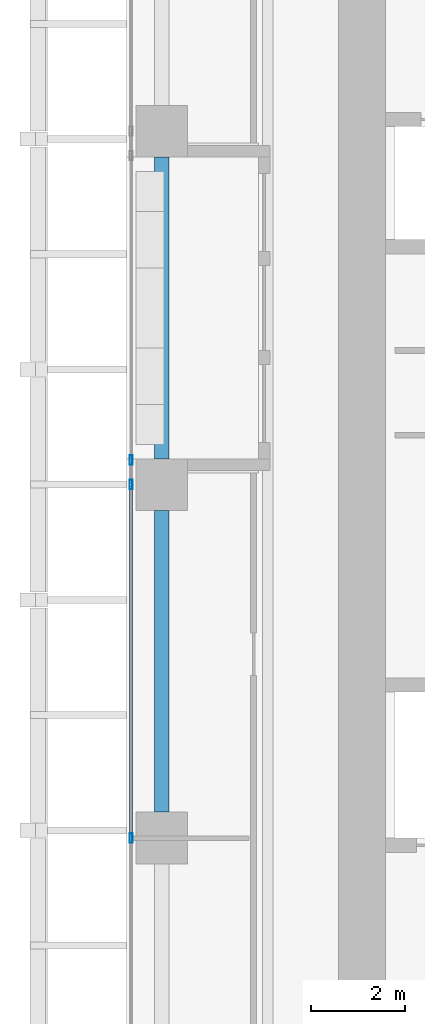
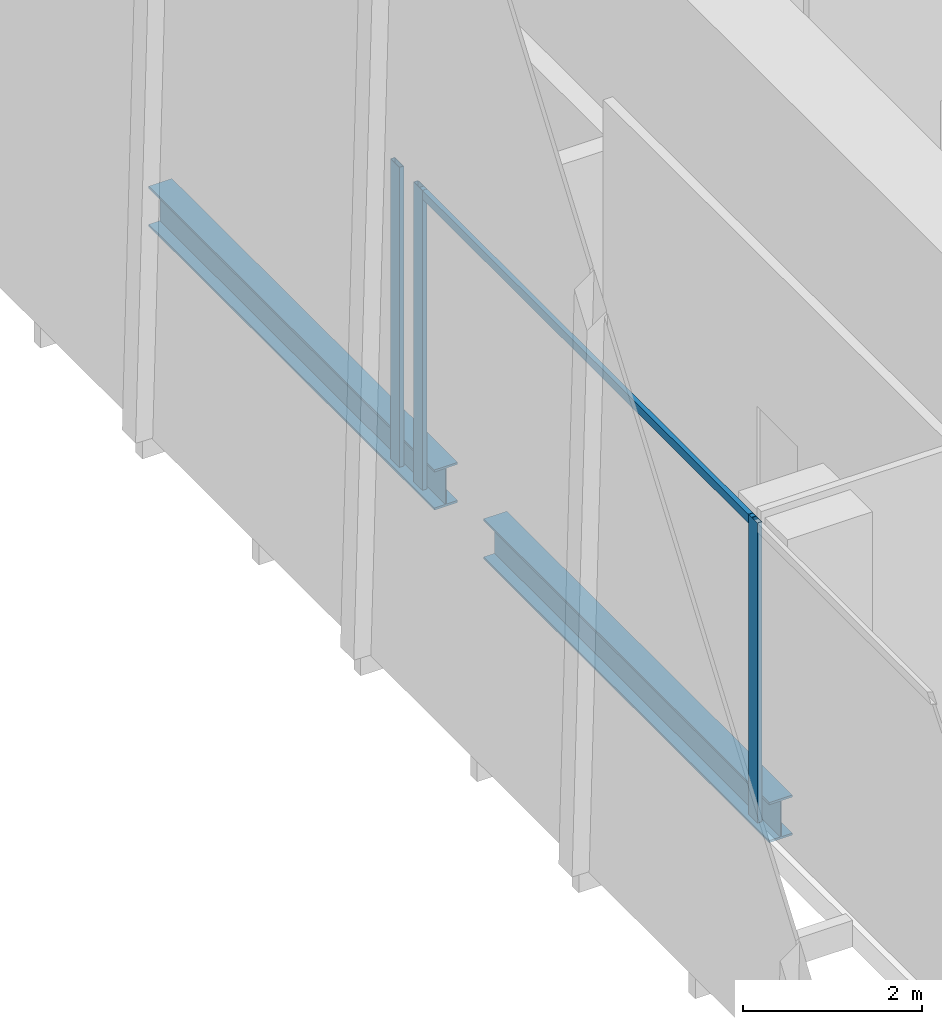
# One storey, part 5 of 35: 4 members, 2 beams, 1 element without a shape of its own.
"""IFC4 building model written with IfcOpenShell, lengths in metres."""

import ifcopenshell
import ifcopenshell.guid

model = None  # the IFC model being written
_history = None  # IfcOwnerHistory: only IFC2X3 demands one
_inside = {}  # id of a spatial element -> (the spatial element, [elements in it])
_under = {}  # id of a project, library or spatial element -> (it, [spatial elements below it])
_declared = {}  # id of a project -> (the project, [libraries it declares])
_typed = {}  # id of a type object -> (the type object, [elements of that type])
_made_of = {}  # id of a material, layer set ... -> (it, [elements and type objects made of it])


def new_model(schema):
    """Start an empty IFC model of exactly this schema.

    Asked for "IFC4X3", IfcOpenShell would pick the latest addendum, in which some entities
    have other attributes; the version numbers below select the first issue.
    IFC2X3 requires an IfcOwnerHistory on every rooted entity: one is made here for all.
    """
    global model, _history
    if schema == "IFC4X3":
        model = ifcopenshell.file(schema_version=(4, 3, 0, 0))
    else:
        model = ifcopenshell.file(schema=schema)
    _inside.clear()
    _under.clear()
    _declared.clear()
    _typed.clear()
    _made_of.clear()
    _history = None
    if model.schema == "IFC2X3":
        org = make("IfcOrganization", Name="unknown")
        user = make(
            "IfcPersonAndOrganization",
            ThePerson=make("IfcPerson", FamilyName="unknown"),
            TheOrganization=org,
        )
        app = make(
            "IfcApplication",
            ApplicationDeveloper=org,
            Version="unknown",
            ApplicationFullName="unknown",
            ApplicationIdentifier="unknown",
        )
        _history = make(
            "IfcOwnerHistory",
            OwningUser=user,
            OwningApplication=app,
            ChangeAction="ADDED",
            CreationDate=0,
        )
    return model


def make(cls, **values):
    """One entity of the class cls with the attributes given. An attribute that is None is left unset."""
    return model.create_entity(
        cls, **{name: value for name, value in values.items() if value is not None}
    )


def rooted(cls, **values):
    """An entity with a GlobalId (a new one), such as an element, a storey or a relation."""
    return make(cls, GlobalId=ifcopenshell.guid.new(), OwnerHistory=_history, **values)


def si_unit(unit_type, name, prefix=None):
    """IfcSIUnit, for example si_unit("LENGTHUNIT", "METRE", prefix="MILLI")."""
    return make("IfcSIUnit", UnitType=unit_type, Prefix=prefix, Name=name)


def assignment(units):
    """IfcUnitAssignment: the units of a project."""
    return None if units is None else make("IfcUnitAssignment", Units=units)


def point(xyz):
    """IfcCartesianPoint."""
    return None if xyz is None else make("IfcCartesianPoint", Coordinates=xyz)


def direction(xyz):
    """IfcDirection."""
    return None if xyz is None else make("IfcDirection", DirectionRatios=xyz)


def frame(location, z_axis=None, x_axis=None):
    """IfcAxis2Placement3D, a coordinate frame: its origin and axes. An axis left out is left unset."""
    return make(
        "IfcAxis2Placement3D",
        Location=point(location),
        Axis=direction(z_axis),
        RefDirection=direction(x_axis),
    )


def frame_2d(location, x_axis=None):
    """IfcAxis2Placement2D, a coordinate frame in the plane: its origin and x axis."""
    return make(
        "IfcAxis2Placement2D", Location=point(location), RefDirection=direction(x_axis)
    )


def origin():
    """The frame at (0, 0, 0) with its axes left unset."""
    return frame((0.0, 0.0, 0.0))


def origin_2d():
    """The frame at (0, 0) in the plane with its x axis left unset."""
    return frame_2d((0.0, 0.0))


def place(relative_to, where):
    """IfcLocalPlacement: puts the frame where relative to a parent placement (None: the world)."""
    return make(
        "IfcLocalPlacement", PlacementRelTo=relative_to, RelativePlacement=where
    )


def context(
    kind, dimensions, precision=None, world=None, true_north=None, identifier=None
):
    """IfcGeometricRepresentationContext, for example the 3D "Model" context."""
    return make(
        "IfcGeometricRepresentationContext",
        ContextIdentifier=identifier,
        ContextType=kind,
        CoordinateSpaceDimension=dimensions,
        Precision=precision,
        WorldCoordinateSystem=world,
        TrueNorth=true_north,
    )


def subcontext(parent, identifier, kind, view, scale=None):
    """IfcGeometricRepresentationSubContext, for example "Body" below "Model"."""
    return make(
        "IfcGeometricRepresentationSubContext",
        ContextIdentifier=identifier,
        ContextType=kind,
        ParentContext=parent,
        TargetScale=scale,
        TargetView=view,
    )


def project(units=None, contexts=None):
    """IfcProject with its units and contexts."""
    return rooted(
        "IfcProject",
        Name="project",
        RepresentationContexts=contexts,
        UnitsInContext=assignment(units),
    )


def spatial(cls, under=None, at=None, **own):
    """A site, building, storey or space (cls), placed at a placement, below another one or the project."""
    s = rooted(cls, ObjectPlacement=at, **own)
    if under is not None:
        _under.setdefault(under.id(), (under, []))[1].append(s)
    return s


def profile(cls, at=None, kind="AREA", **sizes):
    """A parametric profile (cls). Its sizes go by their IFC names, for example OverallWidth=200.0."""
    return make(cls, ProfileType=kind, Position=at, **sizes)


def hollow_rectangle(**sizes):
    """IfcRectangleHollowProfileDef."""
    return profile("IfcRectangleHollowProfileDef", **sizes)


def i_section(**sizes):
    """IfcIShapeProfileDef."""
    return profile("IfcIShapeProfileDef", **sizes)


def extrude(swept, where, along, depth):
    """IfcExtrudedAreaSolid: the profile swept, set in the frame where, extruded along a direction by depth."""
    return make(
        "IfcExtrudedAreaSolid",
        SweptArea=swept,
        Position=where,
        ExtrudedDirection=direction(along),
        Depth=depth,
    )


def shape(context_of_items, identifier, shape_type, items):
    """IfcShapeRepresentation: the items that make up one representation, for example the "Body"."""
    return make(
        "IfcShapeRepresentation",
        ContextOfItems=context_of_items,
        RepresentationIdentifier=identifier,
        RepresentationType=shape_type,
        Items=items,
    )


def source(mapping_origin, context_of_items, identifier, shape_type, items):
    """IfcRepresentationMap: a shape defined once, which mapped items show again and again."""
    return make(
        "IfcRepresentationMap",
        MappingOrigin=mapping_origin,
        MappedRepresentation=shape(context_of_items, identifier, shape_type, items),
    )


def transform(
    local_origin,
    x_axis=None,
    y_axis=None,
    z_axis=None,
    scale=None,
    scale2=None,
    scale3=None,
    uniform=True,
):
    """IfcCartesianTransformationOperator3D, or its non-uniform kind. x_axis, y_axis, z_axis: its Axis1, 2, 3."""
    if uniform:
        return make(
            "IfcCartesianTransformationOperator3D",
            Axis1=direction(x_axis),
            Axis2=direction(y_axis),
            LocalOrigin=point(local_origin),
            Scale=scale,
            Axis3=direction(z_axis),
        )
    return make(
        "IfcCartesianTransformationOperator3DnonUniform",
        Axis1=direction(x_axis),
        Axis2=direction(y_axis),
        LocalOrigin=point(local_origin),
        Scale=scale,
        Axis3=direction(z_axis),
        Scale2=scale2,
        Scale3=scale3,
    )


def mapped(mapping_source, mapping_target):
    """IfcMappedItem: shows the shape of a source again, moved by a transform."""
    return make(
        "IfcMappedItem", MappingSource=mapping_source, MappingTarget=mapping_target
    )


def material(Name=None, Category=None):
    """IfcMaterial."""
    return make("IfcMaterial", Name=Name, Category=Category)


def material_profile(
    of_material, cross_section, Name=None, Category=None, Priority=None
):
    """IfcMaterialProfile: a cross section and its material."""
    return make(
        "IfcMaterialProfile",
        Name=Name,
        Material=of_material,
        Profile=cross_section,
        Priority=Priority,
        Category=Category,
    )


def profile_set(profiles, Name=None, composite=None):
    """IfcMaterialProfileSet."""
    return make(
        "IfcMaterialProfileSet",
        Name=Name,
        MaterialProfiles=profiles,
        CompositeProfile=composite,
    )


def made_of(thing, what):
    """Note that an element or type object is made of a material, layer set ...; save() writes the relation."""
    if what is not None:
        _made_of.setdefault(what.id(), (what, []))[1].append(thing)
    return thing


def type_object(cls, material=None, **own):
    """A type object (cls), such as IfcWallType, which elements share."""
    return made_of(rooted(cls, **own), material)


def element(
    cls,
    number,
    at=None,
    inside=None,
    cuts=None,
    type_object=None,
    material=None,
    context=None,
    identifier="Body",
    shape_type=None,
    held_by="IfcProductDefinitionShape",
    body=None,
    shapes=None,
    **own,
):
    """One element of the class cls, such as IfcWall. Its Tag is "e" and its number.

    at: its placement. inside: the storey or other place that contains it. cuts: it is an
    opening in that element (IfcRelVoidsElement). A single representation is given by context,
    identifier, shape_type and body (its items); several are given by shapes. held_by: the class
    of the entity that holds the representations. save() writes the other relations.
    """
    e = rooted(cls, Tag="e%d" % number, ObjectPlacement=at, **own)
    if body is not None:
        shapes = [shape(context, identifier, shape_type, body)]
    if shapes is not None:
        e.Representation = make(held_by, Representations=shapes)
    if inside is not None:
        _inside.setdefault(inside.id(), (inside, []))[1].append(e)
    if cuts is not None:
        rooted(
            "IfcRelVoidsElement", RelatingBuildingElement=cuts, RelatedOpeningElement=e
        )
    if type_object is not None:
        _typed.setdefault(type_object.id(), (type_object, []))[1].append(e)
    return made_of(e, material)


def aggregate(whole, parts):
    """IfcRelAggregates: a whole, such as a stair, and the parts it consists of."""
    return rooted("IfcRelAggregates", RelatingObject=whole, RelatedObjects=parts)


def save(model, path):
    """Write the relations noted so far, then the file.

    IfcRelAggregates (storeys below a building ...), IfcRelContainedInSpatialStructure (elements
    in a storey), IfcRelDefinesByType, IfcRelAssociatesMaterial and IfcRelDeclares: one each for
    every whole, place, type object, material and project.
    """
    for whole, parts in _under.values():
        aggregate(whole, parts)
    for where, things in _inside.values():
        rooted(
            "IfcRelContainedInSpatialStructure",
            RelatedElements=things,
            RelatingStructure=where,
        )
    for kind, things in _typed.values():
        rooted("IfcRelDefinesByType", RelatedObjects=things, RelatingType=kind)
    for what, things in _made_of.values():
        rooted("IfcRelAssociatesMaterial", RelatedObjects=things, RelatingMaterial=what)
    for by, libraries in _declared.values():
        rooted("IfcRelDeclares", RelatingContext=by, RelatedDefinitions=libraries)
    model.write(path)


model = new_model("IFC4")

# Units and contexts
model_context = context("Model", 3, precision=1e-05, world=origin(), true_north=direction((0.0, 1.0)))
body_context = subcontext(model_context, "Body", "Model", "MODEL_VIEW")
ifc_project = project(units=[si_unit("LENGTHUNIT", "METRE"), si_unit("AREAUNIT", "SQUARE_METRE"), si_unit("VOLUMEUNIT", "CUBIC_METRE"), si_unit("PLANEANGLEUNIT", "RADIAN"), si_unit("MASSUNIT", "GRAM", prefix="KILO")], contexts=[model_context])

# Site, building, storey
site_placement = place(None, origin())
site = spatial("IfcSite", under=ifc_project, at=site_placement, CompositionType="ELEMENT")
building_placement = place(site_placement, origin())
building = spatial("IfcBuilding", under=site, at=building_placement, Name="Khomas Fold Tower", CompositionType="ELEMENT")
storey_placement = place(building_placement, frame((0.0, 0.0, 127.89990234375)))
storey = spatial("IfcBuildingStorey", under=building, at=storey_placement, Name="L27", CompositionType="ELEMENT", Elevation=127.89990234375)

# Beams
ifc_material_1 = material(Name="Steel S355", Category="steel")
ifc_material_profile_1 = material_profile(ifc_material_1, i_section(OverallWidth=0.300048828125, OverallDepth=0.550048828125, WebThickness=0.014892578125, FlangeThickness=0.029052734375, at=origin_2d()), Name="HE 550 B")
ifc_profile_set_1 = profile_set([ifc_material_profile_1], Name="Steel S355")
beam_type = type_object("IfcBeamType", Name="HE 550 B spandrel SB2", PredefinedType="SPANDREL", material=ifc_profile_set_1)
shared_shape_1 = source(origin(), body_context, "Body", "SweptSolid", [
    extrude(i_section(OverallWidth=0.300048828125, OverallDepth=0.550048828125, WebThickness=0.014892578125, FlangeThickness=0.029052734375, at=origin_2d()), origin(), (0.0, 0.0, 1.0), 6.39990234375),
])
for number, where, z_axis, x_axis, name in (
    (1, (2.25, 27.550048828125, -0.574951171875), (0.0, 1.0, 0.0), (-1.0, 0.0, 0.0), "SB2"),
    (2, (2.25, 20.050048828125, -0.574951171875), (0.0, 1.0, 0.0), (-1.0, 0.0, 0.0), "SB2"),
):
    element("IfcBeam", number, at=place(storey_placement, frame(where, z_axis=z_axis, x_axis=x_axis)), inside=storey, type_object=beam_type, Name=name, PredefinedType="SPANDREL", context=body_context, shape_type="MappedRepresentation", body=[
        mapped(shared_shape_1, transform((0.0, 0.0, 0.0))),
    ])

# Curtain wall, members
ifc_material_2 = material(Name="Aluminium framed double glazing", Category="aluminium")
curtain_wall_type = type_object("IfcCurtainWallType", Name="SK-Unitised clear-glass wall, growing floors CW1", PredefinedType="NOTDEFINED", material=ifc_material_2)
curtain_wall_placement = place(storey_placement, origin())
curtain_wall = element("IfcCurtainWall", 3, at=curtain_wall_placement, inside=storey, type_object=curtain_wall_type, Name="CW1 run L27 09-1", PredefinedType="NOTDEFINED")
ifc_material_3 = material(Name="Aluminium", Category="aluminium")
ifc_material_profile_2 = material_profile(ifc_material_3, hollow_rectangle(XDim=0.06005859375, YDim=0.1201171875, WallThickness=0.00390625, at=origin_2d()), Name="SK-Unitised clear-glass wall, growing floors transom CW1-T")
ifc_profile_set_2 = profile_set([ifc_material_profile_2], Name="Aluminium")
member_type_1 = type_object("IfcMemberType", Name="SK-Unitised clear-glass wall, growing floors transom CW1-T", PredefinedType="USERDEFINED", material=ifc_profile_set_2)
shared_shape_2 = source(origin(), body_context, "Body", "SweptSolid", [
    extrude(hollow_rectangle(XDim=0.06005859375, YDim=0.1201171875, WallThickness=0.00390625, at=origin_2d()), origin(), (0.0, 0.0, 1.0), 7.43994140625),
])
member_1_placement = place(storey_placement, frame((1.60009765625, 26.969970703125, 4.0400390625), z_axis=(0.0, -1.0, 0.0), x_axis=(1.0, 0.0, 0.0)))
member_1 = element("IfcMember", 4, at=member_1_placement, type_object=member_type_1, Name="CW1 transom 2", ObjectType="TRANSOM", PredefinedType="USERDEFINED", context=body_context, shape_type="MappedRepresentation", body=[
    mapped(shared_shape_2, transform((0.0, 0.0, 0.0))),
])
ifc_material_4 = material(Name="Aluminium", Category="aluminium")
ifc_material_profile_3 = material_profile(ifc_material_4, hollow_rectangle(XDim=0.06005859375, YDim=0.199951171875, WallThickness=0.00390625, at=origin_2d()), Name="SK-Unitised clear-glass wall, growing floors mullion CW1-M")
ifc_profile_set_3 = profile_set([ifc_material_profile_3], Name="Aluminium")
member_type_2 = type_object("IfcMemberType", Name="SK-Unitised clear-glass wall, growing floors mullion CW1-M", PredefinedType="MULLION", material=ifc_profile_set_3)
shared_shape_3 = source(origin(), body_context, "Body", "SweptSolid", [
    extrude(hollow_rectangle(XDim=0.06005859375, YDim=0.199951171875, WallThickness=0.00390625, at=origin_2d()), origin(), (0.0, 0.0, 1.0), 4.10009765625),
])
member_2_placement = place(storey_placement, frame((1.60009765625, 27.52001953125, 0.0), z_axis=(0.0, 0.0, 1.0), x_axis=(1.0, 0.0, 0.0)))
member_2 = element("IfcMember", 5, at=member_2_placement, type_object=member_type_2, Name="CW1 mullion 1", PredefinedType="MULLION", context=body_context, shape_type="MappedRepresentation", body=[
    mapped(shared_shape_3, transform((0.0, 0.0, 0.0))),
])
member_3_placement = place(storey_placement, frame((1.60009765625, 27.0, 0.0), z_axis=(0.0, 0.0, 1.0), x_axis=(1.0, 0.0, 0.0)))
member_3 = element("IfcMember", 6, at=member_3_placement, type_object=member_type_2, Name="CW1 mullion 2", PredefinedType="MULLION", context=body_context, shape_type="MappedRepresentation", body=[
    mapped(shared_shape_3, transform((0.0, 0.0, 0.0))),
])
member_4_placement = place(storey_placement, frame((1.60009765625, 19.5, 0.0), z_axis=(0.0, 0.0, 1.0), x_axis=(1.0, 0.0, 0.0)))
member_4 = element("IfcMember", 7, at=member_4_placement, type_object=member_type_2, Name="CW1 mullion 3", PredefinedType="MULLION", context=body_context, shape_type="MappedRepresentation", body=[
    mapped(shared_shape_3, transform((0.0, 0.0, 0.0))),
])
aggregate(curtain_wall, [member_2, member_3, member_4, member_1])

save(model, "model.ifc")
